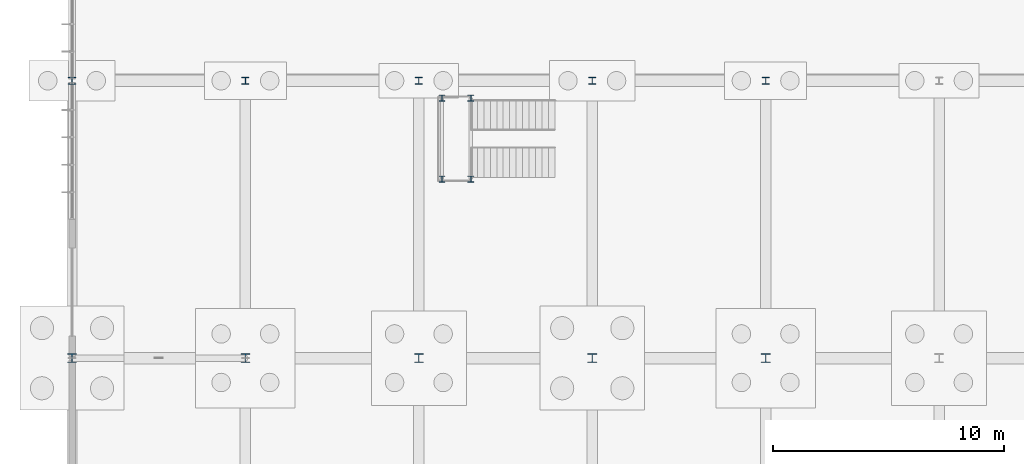
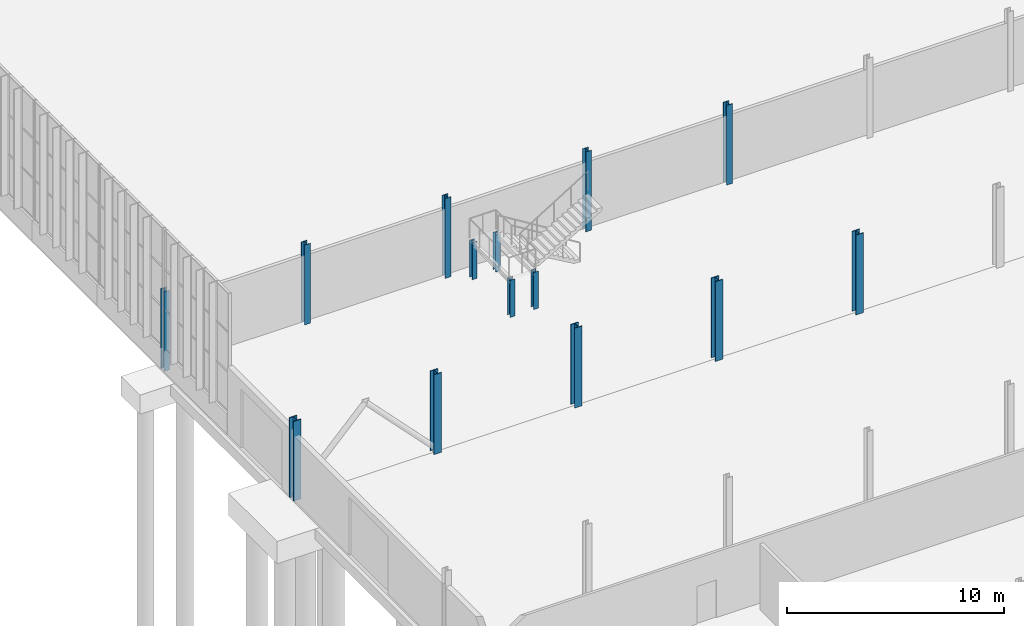
# One storey, part 15 of 136: 14 columns.
"""IFC4 building model written with IfcOpenShell, lengths in metres."""

from ifc_helpers import new_model, si_unit, direction, frame, origin, origin_2d, place, context, subcontext, project, spatial, i_section, extrude, material, material_profile, profile_set, type_object, element, save


model = new_model("IFC4")

# Units and contexts
model_context = context("Model", 3, precision=1e-05, world=origin(), true_north=direction((0.0, 1.0)))
body_context = subcontext(model_context, "Body", "Model", "MODEL_VIEW")
ifc_project = project(units=[si_unit("LENGTHUNIT", "METRE"), si_unit("AREAUNIT", "SQUARE_METRE"), si_unit("VOLUMEUNIT", "CUBIC_METRE"), si_unit("PLANEANGLEUNIT", "RADIAN"), si_unit("MASSUNIT", "GRAM", prefix="KILO")], contexts=[model_context])

# Site, building, storey
site_placement = place(None, origin())
site = spatial("IfcSite", under=ifc_project, at=site_placement, CompositionType="ELEMENT")
building_placement = place(site_placement, origin())
building = spatial("IfcBuilding", under=site, at=building_placement, Name="Solvenia Promenade Tram Depot", CompositionType="ELEMENT")
storey_placement = place(building_placement, origin())
storey = spatial("IfcBuildingStorey", under=building, at=storey_placement, Name="L00", CompositionType="ELEMENT", Elevation=0.0)

# Columns
ifc_material = material(Name="Structural steel ASTM A992 Gr. 50", Category="steel")
ifc_material_profile_1 = material_profile(ifc_material, i_section(OverallWidth=0.256103515625, OverallDepth=0.260009765625, WebThickness=0.0107421875, FlangeThickness=0.017333984375, FilletRadius=0.012939453125, at=origin_2d()), Name="W250x89", Category="steel")
ifc_profile_set_1 = profile_set([ifc_material_profile_1], Name="Structural steel ASTM A992 Gr. 50")
column_type_1 = type_object("IfcColumnType", Name="Col-W250x89", PredefinedType="COLUMN", material=ifc_profile_set_1)
for number, where, z_axis, x_axis, name in (
    (1, (16.0, 73.75, 0.0), (0.0, 0.0, 1.0), (1.0, 0.0, 0.0), "Gallery Stair Landing Post 1-1"),
    (2, (17.25, 73.75, 0.0), (0.0, 0.0, 1.0), (1.0, 0.0, 0.0), "Gallery Stair Inner Post 1-1"),
    (3, (16.0, 77.25, 0.0), (0.0, 0.0, 1.0), (1.0, 0.0, 0.0), "Gallery Stair Landing Post 1-2"),
    (4, (17.25, 77.25, 0.0), (0.0, 0.0, 1.0), (1.0, 0.0, 0.0), "Gallery Stair Inner Post 1-2"),
):
    element("IfcColumn", number, at=place(storey_placement, frame(where, z_axis=z_axis, x_axis=x_axis)), inside=storey, type_object=column_type_1, Name=name, PredefinedType="COLUMN", context=body_context, shape_type="SweptSolid", body=[
        extrude(i_section(OverallWidth=0.256103515625, OverallDepth=0.260009765625, WebThickness=0.0107421875, FlangeThickness=0.017333984375, FilletRadius=0.012939453125, at=origin_2d()), origin(), (0.0, 0.0, 1.0), 2.0849609375),
    ])
ifc_material_profile_2 = material_profile(ifc_material, i_section(OverallWidth=0.306884765625, OverallDepth=0.31396484375, WebThickness=0.011962890625, FlangeThickness=0.018798828125, FilletRadius=0.014892578125, at=origin_2d()), Name="W310x117", Category="steel")
ifc_profile_set_2 = profile_set([ifc_material_profile_2], Name="Structural steel ASTM A992 Gr. 50")
column_type_2 = type_object("IfcColumnType", Name="Col-W310x117", PredefinedType="COLUMN", material=ifc_profile_set_2)
for number, where, z_axis, x_axis, name in (
    (5, (0.0, 78.0, 0.0), (0.0, 0.0, 1.0), (1.0, 0.0, 0.0), "Steel Column COL-L00-013"),
    (6, (7.5, 78.0, 0.0), (0.0, 0.0, 1.0), (1.0, 0.0, 0.0), "Steel Column COL-L00-031"),
    (7, (15.0, 78.0, 0.0), (0.0, 0.0, 1.0), (1.0, 0.0, 0.0), "Steel Column COL-L00-049"),
    (8, (22.5, 78.0, 0.0), (0.0, 0.0, 1.0), (1.0, 0.0, 0.0), "Steel Column COL-L00-067"),
    (9, (30.0, 78.0, 0.0), (0.0, 0.0, 1.0), (1.0, 0.0, 0.0), "Steel Column COL-L00-085"),
):
    element("IfcColumn", number, at=place(storey_placement, frame(where, z_axis=z_axis, x_axis=x_axis)), inside=storey, type_object=column_type_2, Name=name, PredefinedType="COLUMN", context=body_context, shape_type="SweptSolid", body=[
        extrude(i_section(OverallWidth=0.306884765625, OverallDepth=0.31396484375, WebThickness=0.011962890625, FlangeThickness=0.018798828125, FilletRadius=0.014892578125, at=origin_2d()), origin(), (0.0, 0.0, 1.0), 4.5),
    ])
ifc_material_profile_3 = material_profile(ifc_material, i_section(OverallWidth=0.39794921875, OverallDepth=0.386962890625, WebThickness=0.0244140625, FlangeThickness=0.03955078125, FilletRadius=0.01806640625, at=origin_2d()), Name="W360x262", Category="steel")
ifc_profile_set_3 = profile_set([ifc_material_profile_3], Name="Structural steel ASTM A992 Gr. 50")
column_type_3 = type_object("IfcColumnType", Name="Col-W360x262", PredefinedType="COLUMN", material=ifc_profile_set_3)
for number, where, z_axis, x_axis, name in (
    (10, (0.0, 66.0, 0.0), (0.0, 0.0, 1.0), (1.0, 0.0, 0.0), "Steel Column COL-L00-011"),
    (11, (7.5, 66.0, 0.0), (0.0, 0.0, 1.0), (1.0, 0.0, 0.0), "Steel Column COL-L00-029"),
    (12, (15.0, 66.0, 0.0), (0.0, 0.0, 1.0), (1.0, 0.0, 0.0), "Steel Column COL-L00-047"),
    (13, (22.5, 66.0, 0.0), (0.0, 0.0, 1.0), (1.0, 0.0, 0.0), "Steel Column COL-L00-065"),
    (14, (30.0, 66.0, 0.0), (0.0, 0.0, 1.0), (1.0, 0.0, 0.0), "Steel Column COL-L00-083"),
):
    element("IfcColumn", number, at=place(storey_placement, frame(where, z_axis=z_axis, x_axis=x_axis)), inside=storey, type_object=column_type_3, Name=name, PredefinedType="COLUMN", context=body_context, shape_type="SweptSolid", body=[
        extrude(i_section(OverallWidth=0.39794921875, OverallDepth=0.386962890625, WebThickness=0.0244140625, FlangeThickness=0.03955078125, FilletRadius=0.01806640625, at=origin_2d()), origin(), (0.0, 0.0, 1.0), 4.5),
    ])

save(model, "model.ifc")
